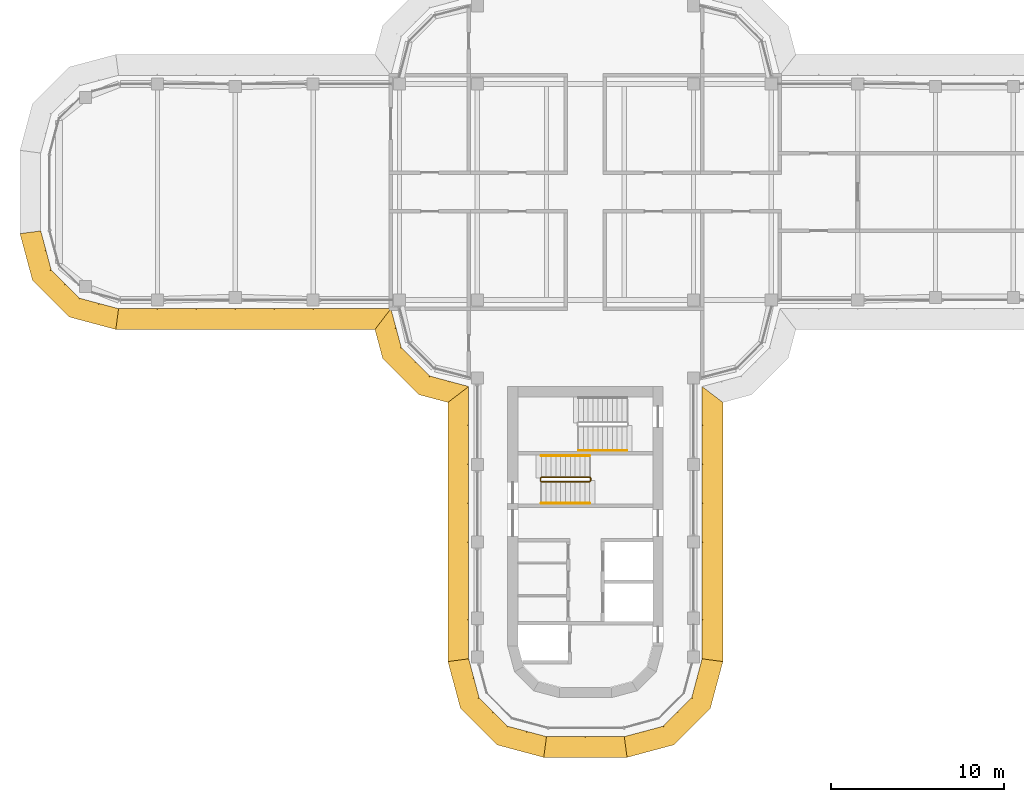
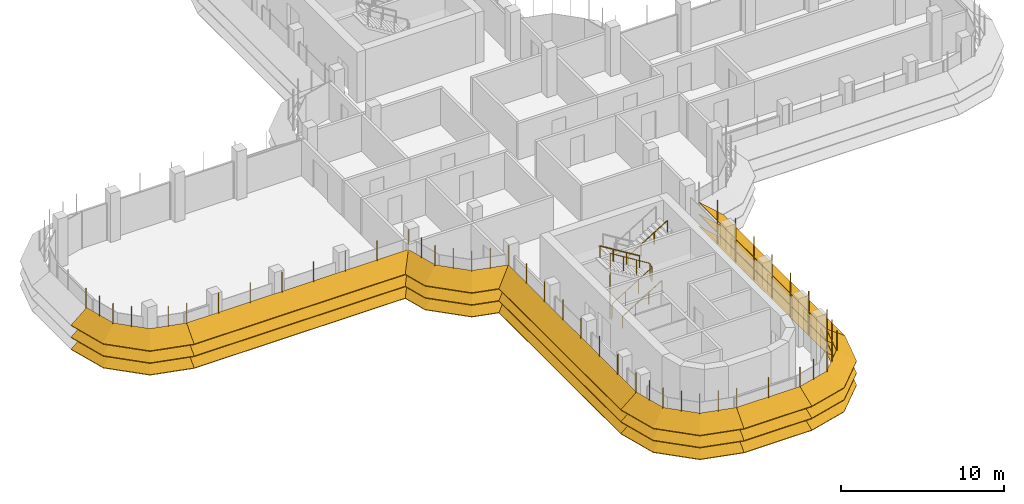
# One storey, part 16 of 19: 8 shading devices, 4 railings.
"""IFC4 building model written with IfcOpenShell, lengths in metres."""

from ifc_helpers import new_model, si_unit, direction, frame, origin, origin_2d, place, context, subcontext, project, spatial, polyline, circle, outline, extrude, faceted_brep, source, transform, mapped, material, type_object, element, save


model = new_model("IFC4")

# Units and contexts
model_context = context("Model", 3, precision=1e-05, world=origin(), true_north=direction((0.0, 1.0)))
body_context = subcontext(model_context, "Body", "Model", "MODEL_VIEW")
ifc_project = project(units=[si_unit("LENGTHUNIT", "METRE"), si_unit("AREAUNIT", "SQUARE_METRE"), si_unit("VOLUMEUNIT", "CUBIC_METRE"), si_unit("PLANEANGLEUNIT", "RADIAN"), si_unit("MASSUNIT", "GRAM", prefix="KILO")], contexts=[model_context])

# Site, building, storey
site_placement = place(None, origin())
site = spatial("IfcSite", under=ifc_project, at=site_placement, CompositionType="ELEMENT")
building_placement = place(site_placement, origin())
building = spatial("IfcBuilding", under=site, at=building_placement, Name="Zarbagh Exchange Tower", CompositionType="ELEMENT")
storey_placement = place(building_placement, frame((0.0, 0.0, 241.0)))
storey = spatial("IfcBuildingStorey", under=building, at=storey_placement, Name="L59", CompositionType="ELEMENT", Elevation=241.0)

# Railings
ifc_material_1 = material(Name="Stainless steel", Category="steel")
railing_type_1 = type_object("IfcRailingType", Name="Stair guard 1100 mm", PredefinedType="GUARDRAIL", material=ifc_material_1)
railing_1_placement = place(storey_placement, frame((-2.550048828125, -16.75, 0.172607421875)))
element("IfcRailing", 1, at=railing_1_placement, inside=storey, type_object=railing_type_1, Name="ST3 stair guard 1", PredefinedType="GUARDRAIL", context=body_context, shape_type="SweptSolid", body=[
    extrude(circle(Radius=0.02392578125, at=origin_2d()), frame((0.0, 0.0, 1.076171875), z_axis=(0.851089632645, 0.0, 0.525020415988), x_axis=(0.0, 1.0, 0.0)), (0.0, 0.0, 1.0), 3.2900390625),
    extrude(circle(Radius=0.02392578125, at=origin_2d()), frame((2.800048828125, 0.0, 2.80322265625), z_axis=(0.707106781187, 0.707106781187, 0.0), x_axis=(-0.707106781187, 0.707106781187, 0.0)), (0.0, 0.0, 1.0), 0.07080078125),
    extrude(circle(Radius=0.02392578125, at=origin_2d()), frame((2.85009765625, 0.050048828125, 2.80322265625), z_axis=(0.0, 1.0, 0.0), x_axis=(-1.0, 0.0, 0.0)), (0.0, 0.0, 1.0), 0.14990234375),
    extrude(circle(Radius=0.02392578125, at=origin_2d()), frame((2.85009765625, 0.199951171875, 2.80322265625), z_axis=(-0.267953482034, 0.267953482034, 0.925419830635), x_axis=(-0.707106781187, -0.707106781187, 0.0)), (0.0, 0.0, 1.0), 0.186767578125),
    extrude(circle(Radius=0.02392578125, at=origin_2d()), frame((2.800048828125, 0.25, 2.97607421875), z_axis=(-0.851089632645, 0.0, 0.525020415988), x_axis=(0.0, -1.0, 0.0)), (0.0, 0.0, 1.0), 3.2900390625),
    extrude(circle(Radius=0.02392578125, at=origin_2d()), frame((0.0, 0.25, 4.70361328125), z_axis=(-0.013168290981, -0.013168290981, -0.999826581076), x_axis=(0.707106781187, -0.707106781187, 0.0)), (0.0, 0.0, 1.0), 3.80078125),
    extrude(circle(Radius=0.02392578125, at=origin_2d()), frame((-0.050048828125, 0.199951171875, 0.9033203125), z_axis=(0.0, -1.0, 0.0), x_axis=(1.0, 0.0, 0.0)), (0.0, 0.0, 1.0), 0.14990234375),
    extrude(circle(Radius=0.02099609375, at=origin_2d()), origin(), (0.0, 0.0, 1.0), 1.052001953125),
    extrude(circle(Radius=0.02099609375, at=origin_2d()), frame((0.933349609375, 0.0, 0.57568359375)), (0.0, 0.0, 1.0), 1.052001953125),
    extrude(circle(Radius=0.02099609375, at=origin_2d()), frame((1.86669921875, 0.0, 1.151611328125)), (0.0, 0.0, 1.0), 1.052001953125),
    extrude(circle(Radius=0.02099609375, at=origin_2d()), frame((2.800048828125, 0.0, 1.727294921875)), (0.0, 0.0, 1.0), 1.052001953125),
    extrude(circle(Radius=0.02099609375, at=origin_2d()), frame((2.85009765625, 0.050048828125, 1.727294921875)), (0.0, 0.0, 1.0), 1.052001953125),
    extrude(circle(Radius=0.02099609375, at=origin_2d()), frame((2.85009765625, 0.199951171875, 1.727294921875)), (0.0, 0.0, 1.0), 1.052001953125),
    extrude(circle(Radius=0.02099609375, at=origin_2d()), frame((2.800048828125, 0.25, 1.900146484375)), (0.0, 0.0, 1.0), 1.052001953125),
    extrude(circle(Radius=0.02099609375, at=origin_2d()), frame((1.86669921875, 0.25, 2.475830078125)), (0.0, 0.0, 1.0), 1.052001953125),
    extrude(circle(Radius=0.02099609375, at=origin_2d()), frame((0.933349609375, 0.25, 3.0517578125)), (0.0, 0.0, 1.0), 1.052001953125),
    extrude(circle(Radius=0.02099609375, at=origin_2d()), frame((0.0, 0.25, 3.62744140625)), (0.0, 0.0, 1.0), 1.052001953125),
    extrude(circle(Radius=0.02099609375, at=origin_2d()), frame((-0.012451171875, 0.237548828125, 2.677490234375)), (0.0, 0.0, 1.0), 1.052001953125),
    extrude(circle(Radius=0.02099609375, at=origin_2d()), frame((-0.02490234375, 0.22509765625, 1.7275390625)), (0.0, 0.0, 1.0), 1.052001953125),
    extrude(circle(Radius=0.02099609375, at=origin_2d()), frame((-0.03759765625, 0.21240234375, 0.77734375)), (0.0, 0.0, 1.0), 1.052001953125),
    extrude(circle(Radius=0.02099609375, at=origin_2d()), frame((-0.050048828125, 0.199951171875, -0.172607421875)), (0.0, 0.0, 1.0), 1.052001953125),
    extrude(circle(Radius=0.02099609375, at=origin_2d()), frame((-0.050048828125, 0.050048828125, -0.172607421875)), (0.0, 0.0, 1.0), 1.052001953125),
])
railing_type_2 = type_object("IfcRailingType", Name="Stair handrail 900 mm", PredefinedType="HANDRAIL", material=ifc_material_1)
railing_2_placement = place(storey_placement, frame((-2.550048828125, -18.0, 0.172607421875)))
element("IfcRailing", 2, at=railing_2_placement, inside=storey, type_object=railing_type_2, Name="ST3 stair handrail 1", PredefinedType="HANDRAIL", context=body_context, shape_type="SweptSolid", body=[
    extrude(circle(Radius=0.02392578125, at=origin_2d()), frame((0.0, 0.0, 0.8759765625), z_axis=(0.851089632645, 0.0, 0.525020415988), x_axis=(0.0, 1.0, 0.0)), (0.0, 0.0, 1.0), 3.2900390625),
    extrude(circle(Radius=0.02099609375, at=origin_2d()), origin(), (0.0, 0.0, 1.0), 0.851806640625),
    extrude(circle(Radius=0.02099609375, at=origin_2d()), frame((0.933349609375, 0.0, 0.57568359375)), (0.0, 0.0, 1.0), 0.851806640625),
    extrude(circle(Radius=0.02099609375, at=origin_2d()), frame((1.86669921875, 0.0, 1.151611328125)), (0.0, 0.0, 1.0), 0.851806640625),
    extrude(circle(Radius=0.02099609375, at=origin_2d()), frame((2.800048828125, 0.0, 1.727294921875)), (0.0, 0.0, 1.0), 0.851806640625),
])
railing_3_placement = place(storey_placement, frame((0.25, -15.25, 2.07275390625)))
element("IfcRailing", 3, at=railing_3_placement, inside=storey, type_object=railing_type_2, Name="ST3 stair handrail 2", PredefinedType="HANDRAIL", context=body_context, shape_type="SweptSolid", body=[
    extrude(circle(Radius=0.02392578125, at=origin_2d()), frame((0.0, 0.0, 0.8759765625), z_axis=(-0.851089632645, 0.0, 0.525020415988), x_axis=(0.0, -1.0, 0.0)), (0.0, 0.0, 1.0), 3.2900390625),
    extrude(circle(Radius=0.02099609375, at=origin_2d()), origin(), (0.0, 0.0, 1.0), 0.851806640625),
    extrude(circle(Radius=0.02099609375, at=origin_2d()), frame((-0.933349609375, 0.0, 0.57568359375)), (0.0, 0.0, 1.0), 0.851806640625),
    extrude(circle(Radius=0.02099609375, at=origin_2d()), frame((-1.86669921875, 0.0, 1.151611328125)), (0.0, 0.0, 1.0), 0.851806640625),
    extrude(circle(Radius=0.02099609375, at=origin_2d()), frame((-2.800048828125, 0.0, 1.727294921875)), (0.0, 0.0, 1.0), 0.851806640625),
])
railing_4_placement = place(storey_placement, frame((-0.39990234375, -14.949951171875, 2.07275390625)))
element("IfcRailing", 4, at=railing_4_placement, inside=storey, type_object=railing_type_2, Name="ST4 stair handrail 2", PredefinedType="HANDRAIL", context=body_context, shape_type="SweptSolid", body=[
    extrude(circle(Radius=0.02392578125, at=origin_2d()), frame((0.0, 0.0, 0.8759765625), z_axis=(0.851069175582, 0.0, 0.525053576669), x_axis=(0.0, 1.0, 0.0)), (0.0, 0.0, 1.0), 3.289794921875),
    extrude(circle(Radius=0.02099609375, at=origin_2d()), origin(), (0.0, 0.0, 1.0), 0.851806640625),
    extrude(circle(Radius=0.02099609375, at=origin_2d()), frame((0.933349609375, 0.0, 0.57568359375)), (0.0, 0.0, 1.0), 0.851806640625),
    extrude(circle(Radius=0.02099609375, at=origin_2d()), frame((1.866455078125, 0.0, 1.151611328125)), (0.0, 0.0, 1.0), 0.851806640625),
    extrude(circle(Radius=0.02099609375, at=origin_2d()), frame((2.7998046875, 0.0, 1.727294921875)), (0.0, 0.0, 1.0), 0.851806640625),
])

# Shading devices
ifc_material_2 = material(Name="Anodised aluminium blades and brackets", Category="aluminium")
shading_device_type = type_object("IfcShadingDeviceType", Name="SUNSHADE louvre band, 33.75 degree blades", PredefinedType="JALOUSIE", material=ifc_material_2)
shared_shape_1 = source(origin(), body_context, "Body", "Brep", [
    faceted_brep([(0.0, 0.0, 0.0), (0.0, 0.0, -0.048095703125), (-0.157958984375, -1.199951171875, -0.849853515625), (-0.157958984375, -1.199951171875, -0.8017578125), (2.65087890625, -1.199951171875, -0.8017578125), (2.65087890625, -1.199951171875, -0.849853515625), (2.329345703125, 0.0, -0.048095703125), (2.329345703125, 0.0, 0.0)], [[[0, 1, 2, 3]], [[4, 5, 6, 7]], [[0, 7, 6, 1]], [[1, 6, 5, 2]], [[2, 5, 4, 3]], [[3, 4, 7, 0]]]),
])
shared_shape_2 = source(origin(), body_context, "Body", "Brep", [
    faceted_brep([(0.0, 0.0, 0.0), (0.0, 0.0, -0.048095703125), (-0.321533203125, -1.199951171875, -0.849853515625), (-0.321533203125, -1.199951171875, -0.8017578125), (2.65087890625, -1.199951171875, -0.8017578125), (2.65087890625, -1.199951171875, -0.849853515625), (2.329345703125, 0.0, -0.048095703125), (2.329345703125, 0.0, 0.0)], [[[0, 1, 2, 3]], [[4, 5, 6, 7]], [[0, 7, 6, 1]], [[1, 6, 5, 2]], [[2, 5, 4, 3]], [[3, 4, 7, 0]]]),
])
shared_shape_3 = source(origin(), body_context, "Body", "Brep", [
    faceted_brep([(0.0, 0.0, 0.0), (0.0, 0.0, -0.048095703125), (-0.321533203125, -1.199951171875, -0.849853515625), (-0.321533203125, -1.199951171875, -0.8017578125), (2.4873046875, -1.199951171875, -0.8017578125), (2.4873046875, -1.199951171875, -0.849853515625), (2.329345703125, 0.0, -0.048095703125), (2.329345703125, 0.0, 0.0)], [[[0, 1, 2, 3]], [[4, 5, 6, 7]], [[0, 7, 6, 1]], [[1, 6, 5, 2]], [[2, 5, 4, 3]], [[3, 4, 7, 0]]]),
])
shared_shape_4 = source(origin(), body_context, "Body", "SweptSolid", [
    extrude(outline(polyline([(0.0, -0.012451171875), (0.06005859375, -0.012451171875), (0.06005859375, 0.012451171875), (0.0, 0.012451171875), (0.0, -0.012451171875)])), origin(), (0.0, 0.0, 1.0), 3.358154296875),
])
placement = place(storey_placement, origin())
element("IfcShadingDevice", 5, at=placement, inside=storey, type_object=shading_device_type, Name="SS35 sunshade band", PredefinedType="JALOUSIE", context=body_context, shape_type="MappedRepresentation", body=[
    mapped(shared_shape_1, transform((2.25, -31.5, 2.300048828125), x_axis=(0.965924289636, 0.258824779902, 0.0), y_axis=(-0.258824779902, 0.965924289636, 0.0), z_axis=(0.0, 0.0, 1.0))),
    mapped(shared_shape_1, transform((2.25, -31.5, 1.39990234375), x_axis=(0.965924289636, 0.258824779902, 0.0), y_axis=(-0.258824779902, 0.965924289636, 0.0), z_axis=(0.0, 0.0, 1.0))),
    mapped(shared_shape_1, transform((2.25, -31.5, 0.5), x_axis=(0.965924289636, 0.258824779902, 0.0), y_axis=(-0.258824779902, 0.965924289636, 0.0), z_axis=(0.0, 0.0, 1.0))),
    mapped(shared_shape_2, transform((4.5, -30.897216796875, 2.300048828125), x_axis=(0.707106781187, 0.707106781187, 0.0), y_axis=(-0.707106781187, 0.707106781187, 0.0), z_axis=(0.0, 0.0, 1.0))),
    mapped(shared_shape_2, transform((4.5, -30.897216796875, 1.39990234375), x_axis=(0.707106781187, 0.707106781187, 0.0), y_axis=(-0.707106781187, 0.707106781187, 0.0), z_axis=(0.0, 0.0, 1.0))),
    mapped(shared_shape_2, transform((4.5, -30.897216796875, 0.5), x_axis=(0.707106781187, 0.707106781187, 0.0), y_axis=(-0.707106781187, 0.707106781187, 0.0), z_axis=(0.0, 0.0, 1.0))),
    mapped(shared_shape_3, transform((6.147216796875, -29.25, 2.300048828125), x_axis=(0.258824779902, 0.965924289636, 0.0), y_axis=(-0.965924289636, 0.258824779902, 0.0), z_axis=(0.0, 0.0, 1.0))),
    mapped(shared_shape_3, transform((6.147216796875, -29.25, 1.39990234375), x_axis=(0.258824779902, 0.965924289636, 0.0), y_axis=(-0.965924289636, 0.258824779902, 0.0), z_axis=(0.0, 0.0, 1.0))),
    mapped(shared_shape_3, transform((6.147216796875, -29.25, 0.5), x_axis=(0.258824779902, 0.965924289636, 0.0), y_axis=(-0.965924289636, 0.258824779902, 0.0), z_axis=(0.0, 0.0, 1.0))),
    mapped(shared_shape_4, transform((2.25, -31.5, 0.421875), x_axis=(0.130529263012, -0.991444457092, 0.0), y_axis=(0.991444457092, 0.130529263012, 0.0), z_axis=(0.0, 0.0, 1.0))),
    mapped(shared_shape_4, transform((3.375, -31.198486328125, 0.421875), x_axis=(0.258825058029, -0.96592421511, 0.0), y_axis=(0.96592421511, 0.258825058029, 0.0), z_axis=(0.0, 0.0, 1.0))),
    mapped(shared_shape_4, transform((4.5, -30.897216796875, 0.421875), x_axis=(0.50000275701, -0.866023812018, 0.0), y_axis=(0.866023812018, 0.50000275701, 0.0), z_axis=(0.0, 0.0, 1.0))),
    mapped(shared_shape_4, transform((5.323486328125, -30.073486328125, 0.421875), x_axis=(0.707106781187, -0.707106781187, 0.0), y_axis=(0.707106781187, 0.707106781187, 0.0), z_axis=(0.0, 0.0, 1.0))),
    mapped(shared_shape_4, transform((6.147216796875, -29.25, 0.421875), x_axis=(0.866023812018, -0.50000275701, 0.0), y_axis=(0.50000275701, 0.866023812018, 0.0), z_axis=(0.0, 0.0, 1.0))),
    mapped(shared_shape_4, transform((6.448486328125, -28.125, 0.421875), x_axis=(0.96592421511, -0.258825058029, 0.0), y_axis=(0.258825058029, 0.96592421511, 0.0), z_axis=(0.0, 0.0, 1.0))),
])
element("IfcShadingDevice", 6, at=placement, inside=storey, type_object=shading_device_type, Name="SS43 sunshade band", PredefinedType="JALOUSIE", context=body_context, shape_type="MappedRepresentation", body=[
    mapped(shared_shape_1, transform((-31.5, -2.25, 2.300048828125), x_axis=(0.258824779902, -0.965924289636, 0.0), y_axis=(0.965924289636, 0.258824779902, 0.0), z_axis=(0.0, 0.0, 1.0))),
    mapped(shared_shape_1, transform((-31.5, -2.25, 1.39990234375), x_axis=(0.258824779902, -0.965924289636, 0.0), y_axis=(0.965924289636, 0.258824779902, 0.0), z_axis=(0.0, 0.0, 1.0))),
    mapped(shared_shape_1, transform((-31.5, -2.25, 0.5), x_axis=(0.258824779902, -0.965924289636, 0.0), y_axis=(0.965924289636, 0.258824779902, 0.0), z_axis=(0.0, 0.0, 1.0))),
    mapped(shared_shape_2, transform((-30.897216796875, -4.5, 2.300048828125), x_axis=(0.707106781187, -0.707106781187, 0.0), y_axis=(0.707106781187, 0.707106781187, 0.0), z_axis=(0.0, 0.0, 1.0))),
    mapped(shared_shape_2, transform((-30.897216796875, -4.5, 1.39990234375), x_axis=(0.707106781187, -0.707106781187, 0.0), y_axis=(0.707106781187, 0.707106781187, 0.0), z_axis=(0.0, 0.0, 1.0))),
    mapped(shared_shape_2, transform((-30.897216796875, -4.5, 0.5), x_axis=(0.707106781187, -0.707106781187, 0.0), y_axis=(0.707106781187, 0.707106781187, 0.0), z_axis=(0.0, 0.0, 1.0))),
    mapped(shared_shape_3, transform((-29.25, -6.147216796875, 2.300048828125), x_axis=(0.965924289636, -0.258824779902, 0.0), y_axis=(0.258824779902, 0.965924289636, 0.0), z_axis=(0.0, 0.0, 1.0))),
    mapped(shared_shape_3, transform((-29.25, -6.147216796875, 1.39990234375), x_axis=(0.965924289636, -0.258824779902, 0.0), y_axis=(0.258824779902, 0.965924289636, 0.0), z_axis=(0.0, 0.0, 1.0))),
    mapped(shared_shape_3, transform((-29.25, -6.147216796875, 0.5), x_axis=(0.965924289636, -0.258824779902, 0.0), y_axis=(0.258824779902, 0.965924289636, 0.0), z_axis=(0.0, 0.0, 1.0))),
    mapped(shared_shape_4, transform((-31.5, -2.25, 0.421875), x_axis=(-0.991444457092, -0.130529263012, 0.0), y_axis=(0.130529263012, -0.991444457092, 0.0), z_axis=(0.0, 0.0, 1.0))),
    mapped(shared_shape_4, transform((-31.198486328125, -3.375, 0.421875), x_axis=(-0.96592421511, -0.258825058029, 0.0), y_axis=(0.258825058029, -0.96592421511, 0.0), z_axis=(0.0, 0.0, 1.0))),
    mapped(shared_shape_4, transform((-30.897216796875, -4.5, 0.421875), x_axis=(-0.866023812018, -0.50000275701, 0.0), y_axis=(0.50000275701, -0.866023812018, 0.0), z_axis=(0.0, 0.0, 1.0))),
    mapped(shared_shape_4, transform((-30.073486328125, -5.323486328125, 0.421875), x_axis=(-0.707106781187, -0.707106781187, 0.0), y_axis=(0.707106781187, -0.707106781187, 0.0), z_axis=(0.0, 0.0, 1.0))),
    mapped(shared_shape_4, transform((-29.25, -6.147216796875, 0.421875), x_axis=(-0.50000275701, -0.866023812018, 0.0), y_axis=(0.866023812018, -0.50000275701, 0.0), z_axis=(0.0, 0.0, 1.0))),
    mapped(shared_shape_4, transform((-28.125, -6.448486328125, 0.421875), x_axis=(-0.258825058029, -0.96592421511, 0.0), y_axis=(0.96592421511, -0.258825058029, 0.0), z_axis=(0.0, 0.0, 1.0))),
])
element("IfcShadingDevice", 7, at=placement, inside=storey, type_object=shading_device_type, Name="SS38 sunshade band", PredefinedType="JALOUSIE", context=body_context, shape_type="MappedRepresentation", body=[
    mapped(shared_shape_1, transform((-6.75, -27.0, 2.300048828125), x_axis=(0.258824779902, -0.965924289636, 0.0), y_axis=(0.965924289636, 0.258824779902, 0.0), z_axis=(0.0, 0.0, 1.0))),
    mapped(shared_shape_1, transform((-6.75, -27.0, 1.39990234375), x_axis=(0.258824779902, -0.965924289636, 0.0), y_axis=(0.965924289636, 0.258824779902, 0.0), z_axis=(0.0, 0.0, 1.0))),
    mapped(shared_shape_1, transform((-6.75, -27.0, 0.5), x_axis=(0.258824779902, -0.965924289636, 0.0), y_axis=(0.965924289636, 0.258824779902, 0.0), z_axis=(0.0, 0.0, 1.0))),
    mapped(shared_shape_2, transform((-6.147216796875, -29.25, 2.300048828125), x_axis=(0.707106781187, -0.707106781187, 0.0), y_axis=(0.707106781187, 0.707106781187, 0.0), z_axis=(0.0, 0.0, 1.0))),
    mapped(shared_shape_2, transform((-6.147216796875, -29.25, 1.39990234375), x_axis=(0.707106781187, -0.707106781187, 0.0), y_axis=(0.707106781187, 0.707106781187, 0.0), z_axis=(0.0, 0.0, 1.0))),
    mapped(shared_shape_2, transform((-6.147216796875, -29.25, 0.5), x_axis=(0.707106781187, -0.707106781187, 0.0), y_axis=(0.707106781187, 0.707106781187, 0.0), z_axis=(0.0, 0.0, 1.0))),
    mapped(shared_shape_3, transform((-4.5, -30.897216796875, 2.300048828125), x_axis=(0.965924289636, -0.258824779902, 0.0), y_axis=(0.258824779902, 0.965924289636, 0.0), z_axis=(0.0, 0.0, 1.0))),
    mapped(shared_shape_3, transform((-4.5, -30.897216796875, 1.39990234375), x_axis=(0.965924289636, -0.258824779902, 0.0), y_axis=(0.258824779902, 0.965924289636, 0.0), z_axis=(0.0, 0.0, 1.0))),
    mapped(shared_shape_3, transform((-4.5, -30.897216796875, 0.5), x_axis=(0.965924289636, -0.258824779902, 0.0), y_axis=(0.258824779902, 0.965924289636, 0.0), z_axis=(0.0, 0.0, 1.0))),
    mapped(shared_shape_4, transform((-6.75, -27.0, 0.421875), x_axis=(-0.991444457092, -0.130529263012, 0.0), y_axis=(0.130529263012, -0.991444457092, 0.0), z_axis=(0.0, 0.0, 1.0))),
    mapped(shared_shape_4, transform((-6.448486328125, -28.125, 0.421875), x_axis=(-0.96592421511, -0.258825058029, 0.0), y_axis=(0.258825058029, -0.96592421511, 0.0), z_axis=(0.0, 0.0, 1.0))),
    mapped(shared_shape_4, transform((-6.147216796875, -29.25, 0.421875), x_axis=(-0.866023812018, -0.50000275701, 0.0), y_axis=(0.50000275701, -0.866023812018, 0.0), z_axis=(0.0, 0.0, 1.0))),
    mapped(shared_shape_4, transform((-5.323486328125, -30.073486328125, 0.421875), x_axis=(-0.707106781187, -0.707106781187, 0.0), y_axis=(0.707106781187, -0.707106781187, 0.0), z_axis=(0.0, 0.0, 1.0))),
    mapped(shared_shape_4, transform((-4.5, -30.897216796875, 0.421875), x_axis=(-0.50000275701, -0.866023812018, 0.0), y_axis=(0.866023812018, -0.50000275701, 0.0), z_axis=(0.0, 0.0, 1.0))),
    mapped(shared_shape_4, transform((-3.375, -31.198486328125, 0.421875), x_axis=(-0.258825058029, -0.96592421511, 0.0), y_axis=(0.96592421511, -0.258825058029, 0.0), z_axis=(0.0, 0.0, 1.0))),
])
shared_shape_5 = source(origin(), body_context, "Body", "Brep", [
    faceted_brep([(0.0, 0.0, 0.0), (0.0, 0.0, -0.048095703125), (0.9208984375, -1.199951171875, -0.849853515625), (0.9208984375, -1.199951171875, -0.8017578125), (2.65087890625, -1.199951171875, -0.8017578125), (2.65087890625, -1.199951171875, -0.849853515625), (2.329345703125, 0.0, -0.048095703125), (2.329345703125, 0.0, 0.0)], [[[0, 1, 2, 3]], [[4, 5, 6, 7]], [[0, 7, 6, 1]], [[1, 6, 5, 2]], [[2, 5, 4, 3]], [[3, 4, 7, 0]]]),
])
shared_shape_6 = source(origin(), body_context, "Body", "Brep", [
    faceted_brep([(0.0, 0.0, 0.0), (0.0, 0.0, -0.048095703125), (-0.321533203125, -1.199951171875, -0.849853515625), (-0.321533203125, -1.199951171875, -0.8017578125), (1.40869140625, -1.199951171875, -0.8017578125), (1.40869140625, -1.199951171875, -0.849853515625), (2.329345703125, 0.0, -0.048095703125), (2.329345703125, 0.0, 0.0)], [[[0, 1, 2, 3]], [[4, 5, 6, 7]], [[0, 7, 6, 1]], [[1, 6, 5, 2]], [[2, 5, 4, 3]], [[3, 4, 7, 0]]]),
])
element("IfcShadingDevice", 8, at=placement, inside=storey, type_object=shading_device_type, Name="SS21 sunshade band", PredefinedType="JALOUSIE", context=body_context, shape_type="MappedRepresentation", body=[
    mapped(shared_shape_5, transform((-11.25, -6.75, 2.300048828125), x_axis=(0.258824779902, -0.965924289636, 0.0), y_axis=(0.965924289636, 0.258824779902, 0.0), z_axis=(0.0, 0.0, 1.0))),
    mapped(shared_shape_5, transform((-11.25, -6.75, 1.39990234375), x_axis=(0.258824779902, -0.965924289636, 0.0), y_axis=(0.965924289636, 0.258824779902, 0.0), z_axis=(0.0, 0.0, 1.0))),
    mapped(shared_shape_5, transform((-11.25, -6.75, 0.5), x_axis=(0.258824779902, -0.965924289636, 0.0), y_axis=(0.965924289636, 0.258824779902, 0.0), z_axis=(0.0, 0.0, 1.0))),
    mapped(shared_shape_2, transform((-10.647216796875, -9.0, 2.300048828125), x_axis=(0.707106781187, -0.707106781187, 0.0), y_axis=(0.707106781187, 0.707106781187, 0.0), z_axis=(0.0, 0.0, 1.0))),
    mapped(shared_shape_2, transform((-10.647216796875, -9.0, 1.39990234375), x_axis=(0.707106781187, -0.707106781187, 0.0), y_axis=(0.707106781187, 0.707106781187, 0.0), z_axis=(0.0, 0.0, 1.0))),
    mapped(shared_shape_2, transform((-10.647216796875, -9.0, 0.5), x_axis=(0.707106781187, -0.707106781187, 0.0), y_axis=(0.707106781187, 0.707106781187, 0.0), z_axis=(0.0, 0.0, 1.0))),
    mapped(shared_shape_6, transform((-9.0, -10.647216796875, 2.300048828125), x_axis=(0.965924289636, -0.258824779902, 0.0), y_axis=(0.258824779902, 0.965924289636, 0.0), z_axis=(0.0, 0.0, 1.0))),
    mapped(shared_shape_6, transform((-9.0, -10.647216796875, 1.39990234375), x_axis=(0.965924289636, -0.258824779902, 0.0), y_axis=(0.258824779902, 0.965924289636, 0.0), z_axis=(0.0, 0.0, 1.0))),
    mapped(shared_shape_6, transform((-9.0, -10.647216796875, 0.5), x_axis=(0.965924289636, -0.258824779902, 0.0), y_axis=(0.258824779902, 0.965924289636, 0.0), z_axis=(0.0, 0.0, 1.0))),
    mapped(shared_shape_4, transform((-11.25, -6.75, 0.421875), x_axis=(-0.608758892, -0.793355287, 0.0), y_axis=(0.793355287, -0.608758892, 0.0), z_axis=(0.0, 0.0, 1.0))),
    mapped(shared_shape_4, transform((-10.948486328125, -7.875, 0.421875), x_axis=(-0.96592421511, -0.258825058029, 0.0), y_axis=(0.258825058029, -0.96592421511, 0.0), z_axis=(0.0, 0.0, 1.0))),
    mapped(shared_shape_4, transform((-10.647216796875, -9.0, 0.421875), x_axis=(-0.866023812018, -0.50000275701, 0.0), y_axis=(0.50000275701, -0.866023812018, 0.0), z_axis=(0.0, 0.0, 1.0))),
    mapped(shared_shape_4, transform((-9.823486328125, -9.823486328125, 0.421875), x_axis=(-0.707106781187, -0.707106781187, 0.0), y_axis=(0.707106781187, -0.707106781187, 0.0), z_axis=(0.0, 0.0, 1.0))),
    mapped(shared_shape_4, transform((-9.0, -10.647216796875, 0.421875), x_axis=(-0.50000275701, -0.866023812018, 0.0), y_axis=(0.866023812018, -0.50000275701, 0.0), z_axis=(0.0, 0.0, 1.0))),
    mapped(shared_shape_4, transform((-7.875, -10.948486328125, 0.421875), x_axis=(-0.258825058029, -0.96592421511, 0.0), y_axis=(0.96592421511, -0.258825058029, 0.0), z_axis=(0.0, 0.0, 1.0))),
])
shared_shape_7 = source(origin(), body_context, "Body", "Brep", [
    faceted_brep([(0.0, 0.0, 0.0), (0.0, 0.0, -0.048095703125), (-0.157958984375, -1.199951171875, -0.849853515625), (-0.157958984375, -1.199951171875, -0.8017578125), (14.8291015625, -1.199951171875, -0.8017578125), (14.8291015625, -1.199951171875, -0.849853515625), (15.75, 0.0, -0.048095703125), (15.75, 0.0, 0.0)], [[[0, 1, 2, 3]], [[4, 5, 6, 7]], [[0, 7, 6, 1]], [[1, 6, 5, 2]], [[2, 5, 4, 3]], [[3, 4, 7, 0]]]),
])
element("IfcShadingDevice", 9, at=placement, inside=storey, type_object=shading_device_type, Name="SS36 sunshade band", PredefinedType="JALOUSIE", context=body_context, shape_type="MappedRepresentation", body=[
    mapped(shared_shape_7, transform((6.75, -27.0, 2.300048828125), x_axis=(0.0, 1.0, 0.0), y_axis=(-1.0, 0.0, 0.0), z_axis=(0.0, 0.0, 1.0))),
    mapped(shared_shape_7, transform((6.75, -27.0, 1.39990234375), x_axis=(0.0, 1.0, 0.0), y_axis=(-1.0, 0.0, 0.0), z_axis=(0.0, 0.0, 1.0))),
    mapped(shared_shape_7, transform((6.75, -27.0, 0.5), x_axis=(0.0, 1.0, 0.0), y_axis=(-1.0, 0.0, 0.0), z_axis=(0.0, 0.0, 1.0))),
    mapped(shared_shape_4, transform((6.75, -27.0, 0.421875), x_axis=(0.991444457092, -0.130529263012, 0.0), y_axis=(0.130529263012, 0.991444457092, 0.0), z_axis=(0.0, 0.0, 1.0))),
    mapped(shared_shape_4, transform((6.75, -24.75, 0.421875), x_axis=(1.0, 0.0, 0.0), y_axis=(0.0, 1.0, 0.0), z_axis=(0.0, 0.0, 1.0))),
    mapped(shared_shape_4, transform((6.75, -22.5, 0.421875), x_axis=(1.0, 0.0, 0.0), y_axis=(0.0, 1.0, 0.0), z_axis=(0.0, 0.0, 1.0))),
    mapped(shared_shape_4, transform((6.75, -20.25, 0.421875), x_axis=(1.0, 0.0, 0.0), y_axis=(0.0, 1.0, 0.0), z_axis=(0.0, 0.0, 1.0))),
    mapped(shared_shape_4, transform((6.75, -18.0, 0.421875), x_axis=(1.0, 0.0, 0.0), y_axis=(0.0, 1.0, 0.0), z_axis=(0.0, 0.0, 1.0))),
    mapped(shared_shape_4, transform((6.75, -15.75, 0.421875), x_axis=(1.0, 0.0, 0.0), y_axis=(0.0, 1.0, 0.0), z_axis=(0.0, 0.0, 1.0))),
    mapped(shared_shape_4, transform((6.75, -13.5, 0.421875), x_axis=(1.0, 0.0, 0.0), y_axis=(0.0, 1.0, 0.0), z_axis=(0.0, 0.0, 1.0))),
])
element("IfcShadingDevice", 10, at=placement, inside=storey, type_object=shading_device_type, Name="SS44 sunshade band", PredefinedType="JALOUSIE", context=body_context, shape_type="MappedRepresentation", body=[
    mapped(shared_shape_7, transform((-27.0, -6.75, 2.300048828125), x_axis=(1.0, 0.0, 0.0), y_axis=(0.0, 1.0, 0.0), z_axis=(0.0, 0.0, 1.0))),
    mapped(shared_shape_7, transform((-27.0, -6.75, 1.39990234375), x_axis=(1.0, 0.0, 0.0), y_axis=(0.0, 1.0, 0.0), z_axis=(0.0, 0.0, 1.0))),
    mapped(shared_shape_7, transform((-27.0, -6.75, 0.5), x_axis=(1.0, 0.0, 0.0), y_axis=(0.0, 1.0, 0.0), z_axis=(0.0, 0.0, 1.0))),
    mapped(shared_shape_4, transform((-27.0, -6.75, 0.421875), x_axis=(-0.130529263012, -0.991444457092, 0.0), y_axis=(0.991444457092, -0.130529263012, 0.0), z_axis=(0.0, 0.0, 1.0))),
    mapped(shared_shape_4, transform((-24.75, -6.75, 0.421875), x_axis=(0.0, -1.0, 0.0), y_axis=(1.0, 0.0, 0.0), z_axis=(0.0, 0.0, 1.0))),
    mapped(shared_shape_4, transform((-22.5, -6.75, 0.421875), x_axis=(0.0, -1.0, 0.0), y_axis=(1.0, 0.0, 0.0), z_axis=(0.0, 0.0, 1.0))),
    mapped(shared_shape_4, transform((-20.25, -6.75, 0.421875), x_axis=(0.0, -1.0, 0.0), y_axis=(1.0, 0.0, 0.0), z_axis=(0.0, 0.0, 1.0))),
    mapped(shared_shape_4, transform((-18.0, -6.75, 0.421875), x_axis=(0.0, -1.0, 0.0), y_axis=(1.0, 0.0, 0.0), z_axis=(0.0, 0.0, 1.0))),
    mapped(shared_shape_4, transform((-15.75, -6.75, 0.421875), x_axis=(0.0, -1.0, 0.0), y_axis=(1.0, 0.0, 0.0), z_axis=(0.0, 0.0, 1.0))),
    mapped(shared_shape_4, transform((-13.5, -6.75, 0.421875), x_axis=(0.0, -1.0, 0.0), y_axis=(1.0, 0.0, 0.0), z_axis=(0.0, 0.0, 1.0))),
])
shared_shape_8 = source(origin(), body_context, "Body", "Brep", [
    faceted_brep([(0.0, 0.0, 0.0), (0.0, 0.0, -0.048095703125), (0.9208984375, -1.199951171875, -0.849853515625), (0.9208984375, -1.199951171875, -0.8017578125), (15.907958984375, -1.199951171875, -0.8017578125), (15.907958984375, -1.199951171875, -0.849853515625), (15.75, 0.0, -0.048095703125), (15.75, 0.0, 0.0)], [[[0, 1, 2, 3]], [[4, 5, 6, 7]], [[0, 7, 6, 1]], [[1, 6, 5, 2]], [[2, 5, 4, 3]], [[3, 4, 7, 0]]]),
])
element("IfcShadingDevice", 11, at=placement, inside=storey, type_object=shading_device_type, Name="SS37 sunshade band", PredefinedType="JALOUSIE", context=body_context, shape_type="MappedRepresentation", body=[
    mapped(shared_shape_8, transform((-6.75, -11.25, 2.300048828125), x_axis=(0.0, -1.0, 0.0), y_axis=(1.0, 0.0, 0.0), z_axis=(0.0, 0.0, 1.0))),
    mapped(shared_shape_8, transform((-6.75, -11.25, 1.39990234375), x_axis=(0.0, -1.0, 0.0), y_axis=(1.0, 0.0, 0.0), z_axis=(0.0, 0.0, 1.0))),
    mapped(shared_shape_8, transform((-6.75, -11.25, 0.5), x_axis=(0.0, -1.0, 0.0), y_axis=(1.0, 0.0, 0.0), z_axis=(0.0, 0.0, 1.0))),
    mapped(shared_shape_4, transform((-6.75, -11.25, 0.421875), x_axis=(-0.793355287, -0.608758892, 0.0), y_axis=(0.608758892, -0.793355287, 0.0), z_axis=(0.0, 0.0, 1.0))),
    mapped(shared_shape_4, transform((-6.75, -13.5, 0.421875), x_axis=(-1.0, 0.0, 0.0), y_axis=(0.0, -1.0, 0.0), z_axis=(0.0, 0.0, 1.0))),
    mapped(shared_shape_4, transform((-6.75, -15.75, 0.421875), x_axis=(-1.0, 0.0, 0.0), y_axis=(0.0, -1.0, 0.0), z_axis=(0.0, 0.0, 1.0))),
    mapped(shared_shape_4, transform((-6.75, -18.0, 0.421875), x_axis=(-1.0, 0.0, 0.0), y_axis=(0.0, -1.0, 0.0), z_axis=(0.0, 0.0, 1.0))),
    mapped(shared_shape_4, transform((-6.75, -20.25, 0.421875), x_axis=(-1.0, 0.0, 0.0), y_axis=(0.0, -1.0, 0.0), z_axis=(0.0, 0.0, 1.0))),
    mapped(shared_shape_4, transform((-6.75, -22.5, 0.421875), x_axis=(-1.0, 0.0, 0.0), y_axis=(0.0, -1.0, 0.0), z_axis=(0.0, 0.0, 1.0))),
    mapped(shared_shape_4, transform((-6.75, -24.75, 0.421875), x_axis=(-1.0, 0.0, 0.0), y_axis=(0.0, -1.0, 0.0), z_axis=(0.0, 0.0, 1.0))),
])
shared_shape_9 = source(origin(), body_context, "Body", "Brep", [
    faceted_brep([(0.0, 0.0, 0.0), (0.0, 0.0, -0.048095703125), (-0.157958984375, -1.199951171875, -0.849853515625), (-0.157958984375, -1.199951171875, -0.8017578125), (4.657958984375, -1.199951171875, -0.8017578125), (4.657958984375, -1.199951171875, -0.849853515625), (4.5, 0.0, -0.048095703125), (4.5, 0.0, 0.0)], [[[0, 1, 2, 3]], [[4, 5, 6, 7]], [[0, 7, 6, 1]], [[1, 6, 5, 2]], [[2, 5, 4, 3]], [[3, 4, 7, 0]]]),
])
element("IfcShadingDevice", 12, at=placement, inside=storey, type_object=shading_device_type, Name="SS39 sunshade band", PredefinedType="JALOUSIE", context=body_context, shape_type="MappedRepresentation", body=[
    mapped(shared_shape_9, transform((-2.25, -31.5, 2.300048828125), x_axis=(1.0, 0.0, 0.0), y_axis=(0.0, 1.0, 0.0), z_axis=(0.0, 0.0, 1.0))),
    mapped(shared_shape_9, transform((-2.25, -31.5, 1.39990234375), x_axis=(1.0, 0.0, 0.0), y_axis=(0.0, 1.0, 0.0), z_axis=(0.0, 0.0, 1.0))),
    mapped(shared_shape_9, transform((-2.25, -31.5, 0.5), x_axis=(1.0, 0.0, 0.0), y_axis=(0.0, 1.0, 0.0), z_axis=(0.0, 0.0, 1.0))),
    mapped(shared_shape_4, transform((-2.25, -31.5, 0.421875), x_axis=(-0.130529263012, -0.991444457092, 0.0), y_axis=(0.991444457092, -0.130529263012, 0.0), z_axis=(0.0, 0.0, 1.0))),
    mapped(shared_shape_4, transform((0.0, -31.5, 0.421875), x_axis=(0.0, -1.0, 0.0), y_axis=(1.0, 0.0, 0.0), z_axis=(0.0, 0.0, 1.0))),
])

save(model, "model.ifc")
